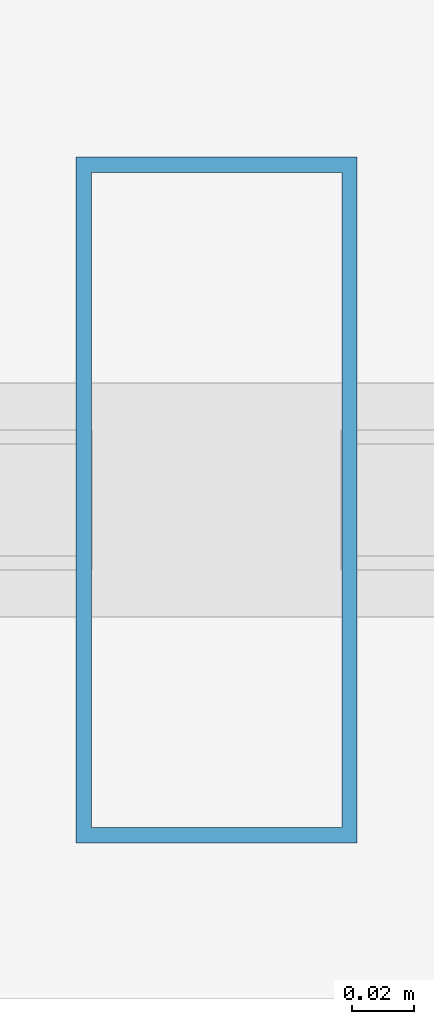
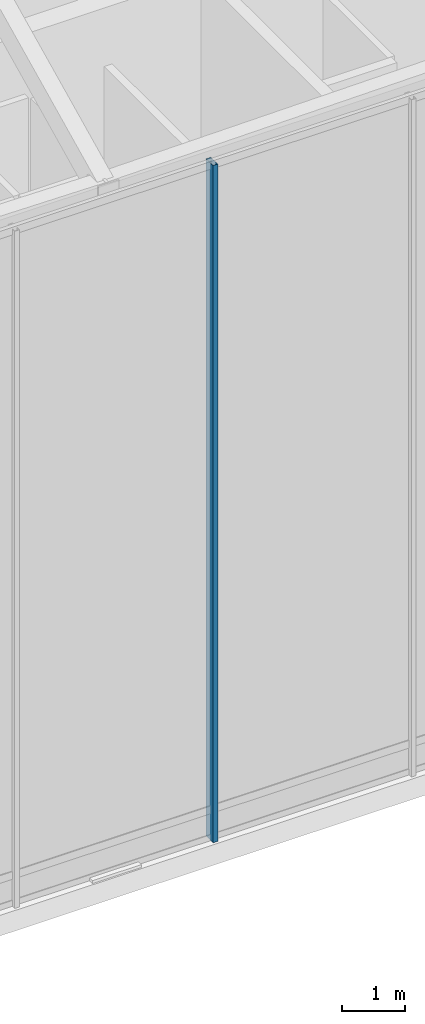
# One storey, part 13 of 36: 1 member, 1 element without a shape of its own.
"""IFC4 building model written with IfcOpenShell, lengths in metres."""

from ifc_helpers import new_model, si_unit, direction, frame, origin, origin_2d, place, context, subcontext, project, spatial, hollow_rectangle, extrude, material, layer, layer_set, material_profile, profile_set, type_object, element, aggregate, save


model = new_model("IFC4")

# Units and contexts
model_context = context("Model", 3, precision=1e-05, world=origin(), true_north=direction((0.0, 1.0)))
body_context = subcontext(model_context, "Body", "Model", "MODEL_VIEW")
ifc_project = project(units=[si_unit("LENGTHUNIT", "METRE"), si_unit("AREAUNIT", "SQUARE_METRE"), si_unit("VOLUMEUNIT", "CUBIC_METRE"), si_unit("PLANEANGLEUNIT", "RADIAN"), si_unit("MASSUNIT", "GRAM", prefix="KILO")], contexts=[model_context])

# Site, building, storey
site_placement = place(None, origin())
site = spatial("IfcSite", under=ifc_project, at=site_placement, CompositionType="ELEMENT")
building_placement = place(site_placement, origin())
building = spatial("IfcBuilding", under=site, at=building_placement, Name="Ndaravel Arena Tower", CompositionType="ELEMENT")
storey_placement = place(building_placement, frame((0.0, 0.0, 308.10009765625)))
storey = spatial("IfcBuildingStorey", under=building, at=storey_placement, Name="Roof Crown", CompositionType="ELEMENT", Elevation=308.10009765625)

# Curtain wall, member
ifc_material_1 = material(Name="Aluminium", Category="aluminium")
ifc_layer = layer(ifc_material_1, 0.179931640625)
ifc_layer_set = layer_set([ifc_layer], Name="Aluminium")
curtain_wall_type = type_object("IfcCurtainWallType", Name="CW-SYS-06", PredefinedType="NOTDEFINED", material=ifc_layer_set)
curtain_wall_placement = place(storey_placement, origin())
curtain_wall = element("IfcCurtainWall", 1, at=curtain_wall_placement, inside=storey, type_object=curtain_wall_type, Name="Roof Crown Sloped Crown Lantern Curtain Wall CW-CROWN-E01", PredefinedType="NOTDEFINED")
ifc_material_2 = material(Name="Aluminium", Category="aluminium")
ifc_material_profile = material_profile(ifc_material_2, hollow_rectangle(XDim=0.090087890625, YDim=0.219970703125, WallThickness=0.0048828125, at=origin_2d()), Name="CW MULLION 90x220x5")
ifc_profile_set = profile_set([ifc_material_profile], Name="Aluminium")
member_type = type_object("IfcMemberType", Name="MEM-CW-MUL220", PredefinedType="MULLION", material=ifc_profile_set)
member_placement = place(storey_placement, frame((43.82861328125, 5.159912109375, 0.0), z_axis=(0.0, 0.0, 1.0), x_axis=(1.0, 0.0, 0.0)))
member = element("IfcMember", 2, at=member_placement, type_object=member_type, Name="CW-CROWN-E01 Mullion 06", PredefinedType="MULLION", context=body_context, shape_type="SweptSolid", body=[
    extrude(hollow_rectangle(XDim=0.090087890625, YDim=0.219970703125, WallThickness=0.0048828125, at=origin_2d()), origin(), (0.0, 0.0, 1.0), 13.2080078125),
])
aggregate(curtain_wall, [member])

save(model, "model.ifc")
